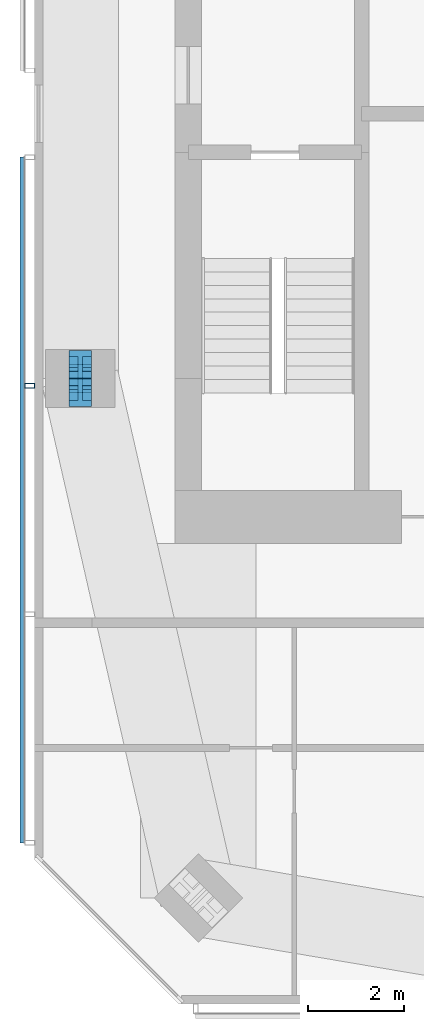
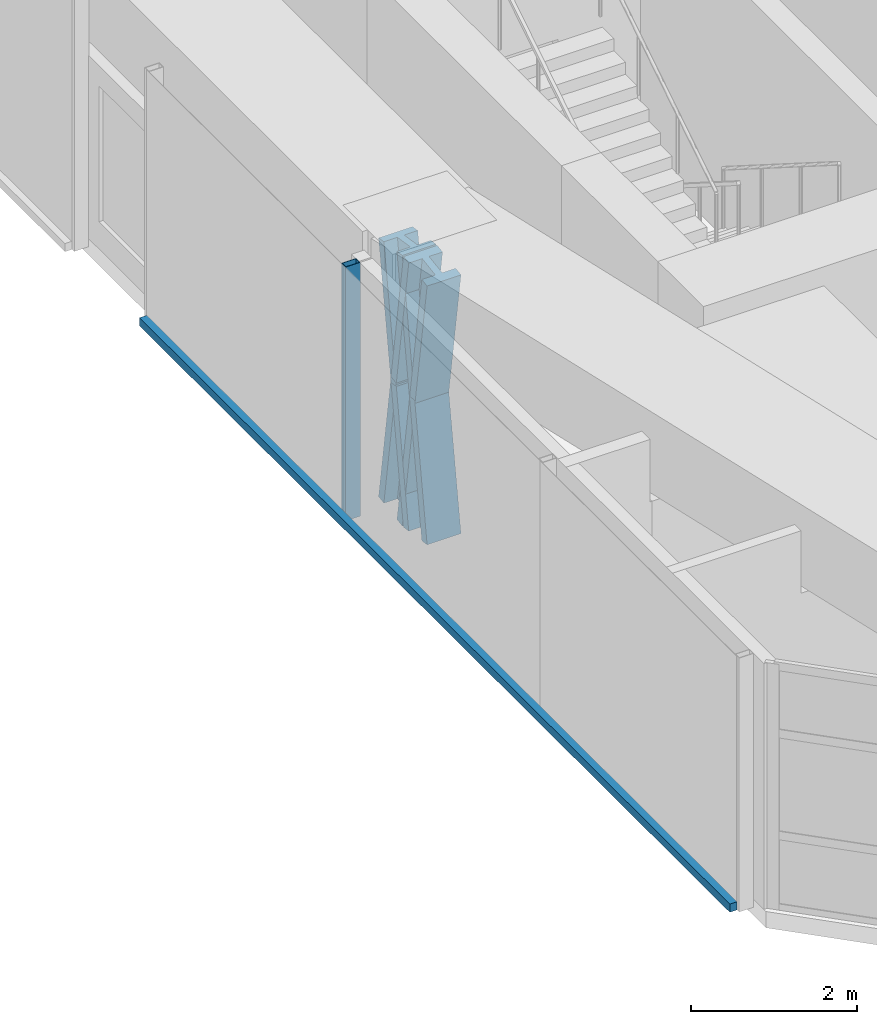
# One storey, part 4 of 20: 6 members, 1 element without a shape of its own.
"""IFC4 building model written with IfcOpenShell, lengths in metres."""

from ifc_helpers import new_model, si_unit, direction, frame, origin, origin_2d, place, context, subcontext, project, spatial, rectangle, hollow_rectangle, i_section, extrude, material, material_profile, profile_set, type_object, element, aggregate, save


model = new_model("IFC4")

# Units and contexts
model_context = context("Model", 3, precision=1e-05, world=origin(), true_north=direction((0.0, 1.0)))
body_context = subcontext(model_context, "Body", "Model", "MODEL_VIEW")
ifc_project = project(units=[si_unit("LENGTHUNIT", "METRE"), si_unit("AREAUNIT", "SQUARE_METRE"), si_unit("VOLUMEUNIT", "CUBIC_METRE"), si_unit("PLANEANGLEUNIT", "RADIAN"), si_unit("MASSUNIT", "GRAM", prefix="KILO")], contexts=[model_context])

# Site, building, storey
site_placement = place(None, origin())
site = spatial("IfcSite", under=ifc_project, at=site_placement, CompositionType="ELEMENT")
building_placement = place(site_placement, origin())
building = spatial("IfcBuilding", under=site, at=building_placement, Name="Jalousie Tower", CompositionType="ELEMENT")
storey_placement = place(building_placement, frame((0.0, 0.0, 263.85009765625)))
storey = spatial("IfcBuildingStorey", under=building, at=storey_placement, Name="L72", CompositionType="ELEMENT", Elevation=263.85009765625)

# Members
ifc_material_1 = material(Name="Steel ASTM A992 Grade 50", Category="steel")
ifc_material_profile_1 = material_profile(ifc_material_1, i_section(OverallWidth=0.472412109375, OverallDepth=0.5791015625, WebThickness=0.094970703125, FlangeThickness=0.1298828125, at=origin_2d()), Name="W14X808")
ifc_profile_set_1 = profile_set([ifc_material_profile_1], Name="Steel ASTM A992 Grade 50")
member_type_1 = type_object("IfcMemberType", Name="PERIMETER BRACE W14X808", PredefinedType="BRACE", material=ifc_profile_set_1)
for number, where, z_axis, x_axis, name in (
    (1, (17.75, 12.699951171875, -0.60009765625), (0.0, 0.152085080919, 0.988367405453), (-1.0, 0.0, 0.0), "Perimeter brace 14 L72 part 1"),
    (2, (17.75, 13.0, 1.349853515625), (0.0, 0.152085080919, 0.988367405453), (-1.0, 0.0, 0.0), "Perimeter brace 14 L72 part 2"),
    (3, (17.75, 13.300048828125, -0.60009765625), (0.0, -0.152085080919, 0.988367405453), (1.0, 0.0, 0.0), "Perimeter brace 14 L72 part 3"),
    (4, (17.75, 13.0, 1.349853515625), (0.0, -0.152085080919, 0.988367405453), (1.0, 0.0, 0.0), "Perimeter brace 14 L72 part 4"),
):
    element("IfcMember", number, at=place(storey_placement, frame(where, z_axis=z_axis, x_axis=x_axis)), inside=storey, type_object=member_type_1, Name=name, PredefinedType="BRACE", context=body_context, shape_type="SweptSolid", body=[
        extrude(i_section(OverallWidth=0.472412109375, OverallDepth=0.5791015625, WebThickness=0.094970703125, FlangeThickness=0.1298828125, at=origin_2d()), origin(), (0.0, 0.0, 1.0), 1.972900390625),
    ])

# Curtain wall, members
ifc_material_2 = material(Name="Perforated aluminium sheet", Category="aluminium")
curtain_wall_type = type_object("IfcCurtainWallType", Name="SOLAR SCREEN SS-2", PredefinedType="USERDEFINED", material=ifc_material_2)
curtain_wall_placement = place(storey_placement, origin())
curtain_wall = element("IfcCurtainWall", 5, at=curtain_wall_placement, inside=storey, type_object=curtain_wall_type, Name="Solar screen L72", ObjectType="SOLAR SCREEN SS-2", PredefinedType="USERDEFINED")
ifc_material_3 = material(Name="Steel ASTM A500 Grade C", Category="steel")
ifc_material_profile_2 = material_profile(ifc_material_3, hollow_rectangle(XDim=0.1015625, YDim=0.203125, WallThickness=0.0078125, at=origin_2d()), Name="HSS8X4X5/16")
ifc_profile_set_2 = profile_set([ifc_material_profile_2], Name="Steel ASTM A500 Grade C")
member_type_2 = type_object("IfcMemberType", Name="SOLAR SCREEN SS-2 MULLION", PredefinedType="MULLION", material=ifc_profile_set_2)
member_1_placement = place(storey_placement, frame((16.703369140625, 12.850341796875, -0.1201171875), z_axis=(0.0, 0.0, 1.0), x_axis=(0.0, -1.0, 0.0)))
member_1 = element("IfcMember", 6, at=member_1_placement, type_object=member_type_2, Name="SS2 post 2", PredefinedType="MULLION", context=body_context, shape_type="SweptSolid", body=[
    extrude(hollow_rectangle(XDim=0.1015625, YDim=0.203125, WallThickness=0.0078125, at=origin_2d()), origin(), (0.0, 0.0, 1.0), 3.739990234375),
])
ifc_material_4 = material(Name="Extruded aluminium screen rail", Category="aluminium")
ifc_material_profile_3 = material_profile(ifc_material_4, rectangle(XDim=0.1015625, YDim=0.1201171875, at=origin_2d()), Name="RAIL 102x120")
ifc_profile_set_3 = profile_set([ifc_material_profile_3], Name="Extruded aluminium screen rail")
member_type_3 = type_object("IfcMemberType", Name="SOLAR SCREEN SS-2 TRANSOM", PredefinedType="USERDEFINED", material=ifc_profile_set_3)
member_2_placement = place(storey_placement, frame((16.551025390625, 17.60009765625, -0.06005859375), z_axis=(0.0, -1.0, 0.0), x_axis=(1.0, 0.0, 0.0)))
member_2 = element("IfcMember", 7, at=member_2_placement, type_object=member_type_3, Name="SS2 rail", ObjectType="TRANSOM", PredefinedType="USERDEFINED", context=body_context, shape_type="SweptSolid", body=[
    extrude(rectangle(XDim=0.1015625, YDim=0.1201171875, at=origin_2d()), origin(), (0.0, 0.0, 1.0), 14.248779296875),
])
aggregate(curtain_wall, [member_1, member_2])

save(model, "model.ifc")
